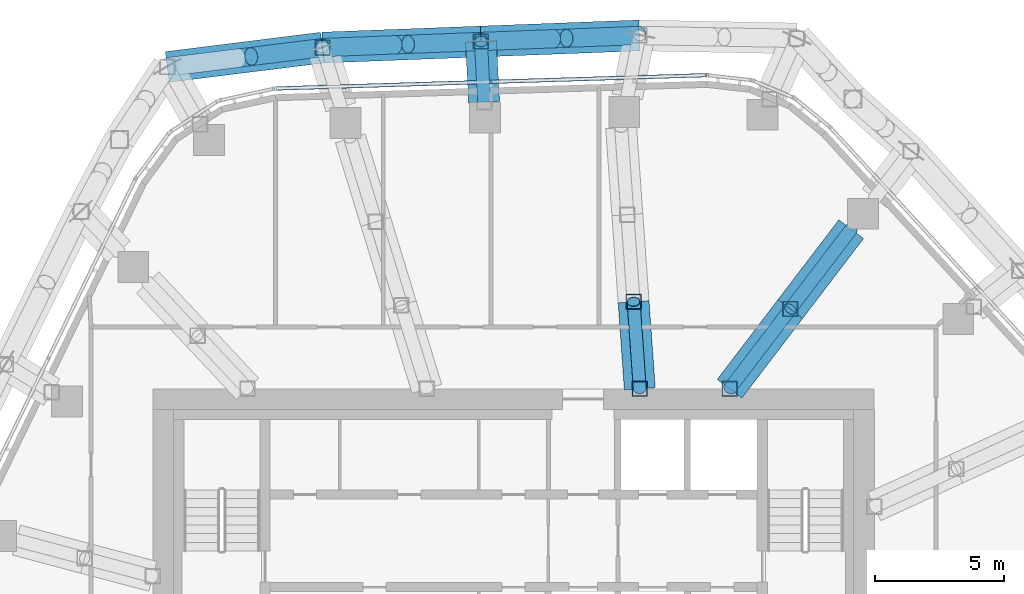
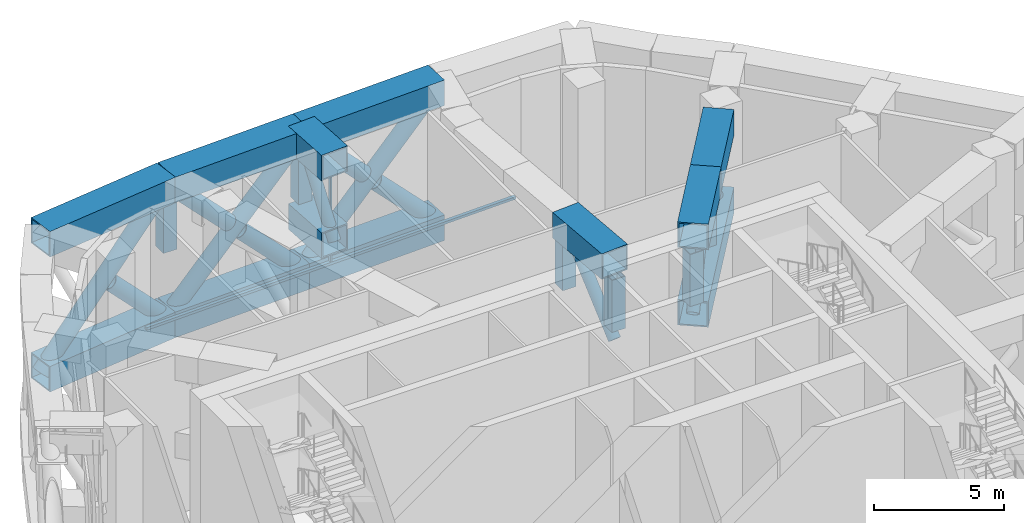
# One storey, part 8 of 21: 32 members, 1 element without a shape of its own.
"""IFC4 building model written with IfcOpenShell, lengths in metres."""

from ifc_helpers import new_model, si_unit, direction, frame, origin, origin_2d, place, context, subcontext, project, spatial, rectangle, hollow_rectangle, hollow_circle, extrude, material, layer, layer_set, material_profile, profile_set, type_object, element, aggregate, save


model = new_model("IFC4")

# Units and contexts
model_context = context("Model", 3, precision=1e-05, world=origin(), true_north=direction((0.0, 1.0)))
body_context = subcontext(model_context, "Body", "Model", "MODEL_VIEW")
ifc_project = project(units=[si_unit("LENGTHUNIT", "METRE"), si_unit("AREAUNIT", "SQUARE_METRE"), si_unit("VOLUMEUNIT", "CUBIC_METRE"), si_unit("PLANEANGLEUNIT", "RADIAN"), si_unit("MASSUNIT", "GRAM", prefix="KILO")], contexts=[model_context])

# Site, building, storey
site_placement = place(None, origin())
site = spatial("IfcSite", under=ifc_project, at=site_placement, CompositionType="ELEMENT")
building_placement = place(site_placement, origin())
building = spatial("IfcBuilding", under=site, at=building_placement, Name="Dongbaek Canopy Tower", CompositionType="ELEMENT")
storey_placement = place(building_placement, frame((0.0, 0.0, 220.60009765625)))
storey = spatial("IfcBuildingStorey", under=building, at=storey_placement, Name="L46", CompositionType="ELEMENT", Elevation=220.60009765625)

# Members
ifc_material_1 = material(Name="Steel S355", Category="steel")
ifc_material_profile_1 = material_profile(ifc_material_1, hollow_circle(Radius=0.35546875, WallThickness=0.02001953125, at=origin_2d()), Name="BELT BRACE CHS 711.0x20.0 Steel S355")
ifc_profile_set_1 = profile_set([ifc_material_profile_1], Name="Steel S355")
member_type_1 = type_object("IfcMemberType", Name="BELT BRACE CHS 711.0x20.0 Steel S355", PredefinedType="BRACE", material=ifc_profile_set_1)
member_1_placement = place(storey_placement, frame((-13.4423828125, 23.49072265625, 0.599853515625), z_axis=(0.68590745486, 0.085599516705, 0.722636621067), x_axis=(-0.123836855341, 0.992302591581, 0.0)))
element("IfcMember", 1, at=member_1_placement, inside=storey, type_object=member_type_1, Name="BELT:L46:13:D0:0", PredefinedType="BRACE", context=body_context, shape_type="SweptSolid", body=[
    extrude(hollow_circle(Radius=0.35546875, WallThickness=0.02001953125, at=origin_2d()), origin(), (0.0, 0.0, 1.0), 8.787353515625),
])
member_2_placement = place(storey_placement, frame((-7.4150390625, 24.242919921875, 0.599853515625), z_axis=(-0.68588996704, -0.085615320286, 0.722651347502), x_axis=(0.123862477211, -0.992299393701, 0.0)))
element("IfcMember", 2, at=member_2_placement, inside=storey, type_object=member_type_1, Name="BELT:L46:13:D0:1", PredefinedType="BRACE", context=body_context, shape_type="SweptSolid", body=[
    extrude(hollow_circle(Radius=0.35546875, WallThickness=0.02001953125, at=origin_2d()), origin(), (0.0, 0.0, 1.0), 4.037841796875),
])
member_3_placement = place(storey_placement, frame((-7.4150390625, 24.242919921875, 0.599853515625), z_axis=(0.695430588191, 0.026697422636, 0.718097169353), x_axis=(-0.038361515606, 0.999263926158, 0.0)))
element("IfcMember", 3, at=member_3_placement, inside=storey, type_object=member_type_1, Name="BELT:L46:14:D0:0", PredefinedType="BRACE", context=body_context, shape_type="SweptSolid", body=[
    extrude(hollow_circle(Radius=0.35546875, WallThickness=0.02001953125, at=origin_2d()), origin(), (0.0, 0.0, 1.0), 8.843017578125),
])
member_4_placement = place(storey_placement, frame((-1.265380859375, 24.47900390625, 0.599853515625), z_axis=(-0.695446252877, -0.026660174087, 0.718083382677), x_axis=(0.038307210171, -0.999266009453, 0.0)))
element("IfcMember", 4, at=member_4_placement, inside=storey, type_object=member_type_1, Name="BELT:L46:14:D0:1", PredefinedType="BRACE", context=body_context, shape_type="SweptSolid", body=[
    extrude(hollow_circle(Radius=0.35546875, WallThickness=0.02001953125, at=origin_2d()), origin(), (0.0, 0.0, 1.0), 4.06591796875),
])
member_5_placement = place(storey_placement, frame((-7.4150390625, 24.242919921875, 6.949951171875), z_axis=(0.695414131623, 0.026721292511, -0.718112218296), x_axis=(-0.038396670952, 0.999262575933, 0.0)))
element("IfcMember", 5, at=member_5_placement, inside=storey, type_object=member_type_1, Name="BELT:L46:14:D0:2", PredefinedType="BRACE", context=body_context, shape_type="SweptSolid", body=[
    extrude(hollow_circle(Radius=0.35546875, WallThickness=0.02001953125, at=origin_2d()), origin(), (0.0, 0.0, 1.0), 4.065673828125),
])
member_6_placement = place(storey_placement, frame((-1.265380859375, 24.47900390625, 0.599853515625), z_axis=(0.695376112611, 0.026561517583, 0.71815496085), x_axis=(-0.038169504481, 0.999271278947, 0.0)))
element("IfcMember", 6, at=member_6_placement, inside=storey, type_object=member_type_1, Name="BELT:L46:15:D0:0", PredefinedType="BRACE", context=body_context, shape_type="SweptSolid", body=[
    extrude(hollow_circle(Radius=0.35546875, WallThickness=0.02001953125, at=origin_2d()), origin(), (0.0, 0.0, 1.0), 8.84228515625),
])
member_7_placement = place(storey_placement, frame((4.88330078125, 24.7138671875, 0.599853515625), z_axis=(-0.695355443026, -0.026543493032, 0.718175640656), x_axis=(0.038144772667, -0.99927222333, 0.0)))
element("IfcMember", 7, at=member_7_placement, inside=storey, type_object=member_type_1, Name="BELT:L46:15:D0:1", PredefinedType="BRACE", context=body_context, shape_type="SweptSolid", body=[
    extrude(hollow_circle(Radius=0.35546875, WallThickness=0.02001953125, at=origin_2d()), origin(), (0.0, 0.0, 1.0), 4.0654296875),
])
member_8_placement = place(storey_placement, frame((-1.265380859375, 24.47900390625, 6.949951171875), z_axis=(0.695386457384, 0.026542384643, -0.718145651456), x_axis=(-0.038141483437, 0.999272348883, 0.0)))
element("IfcMember", 8, at=member_8_placement, inside=storey, type_object=member_type_1, Name="BELT:L46:15:D0:2", PredefinedType="BRACE", context=body_context, shape_type="SweptSolid", body=[
    extrude(hollow_circle(Radius=0.35546875, WallThickness=0.02001953125, at=origin_2d()), origin(), (0.0, 0.0, 1.0), 4.065673828125),
])
ifc_material_2 = material(Name="Steel S355", Category="steel")
ifc_material_profile_2 = material_profile(ifc_material_2, hollow_rectangle(XDim=1.199951171875, YDim=1.199951171875, WallThickness=0.06005859375, at=origin_2d()), Name="BELT CHORD BOX 1200x1200x60 Steel S355")
ifc_profile_set_2 = profile_set([ifc_material_profile_2], Name="Steel S355")
member_type_2 = type_object("IfcMemberType", Name="BELT CHORD BOX 1200x1200x60 Steel S355", PredefinedType="CHORD", material=ifc_profile_set_2)
for number, where, z_axis, x_axis, name in (
    (9, (-13.4423828125, 23.49072265625, 0.599853515625), (0.992302591581, 0.123836855341, 0.0), (-0.123836855341, 0.992302591581, 0.0), "BELT:L46:13:CB0"),
    (10, (-13.4423828125, 23.49072265625, 6.949951171875), (0.992302591581, 0.123836855341, 0.0), (-0.123836855341, 0.992302591581, 0.0), "BELT:L46:13:CT0"),
):
    element("IfcMember", number, at=place(storey_placement, frame(where, z_axis=z_axis, x_axis=x_axis)), inside=storey, type_object=member_type_2, Name=name, PredefinedType="CHORD", context=body_context, shape_type="SweptSolid", body=[
        extrude(hollow_rectangle(XDim=1.199951171875, YDim=1.199951171875, WallThickness=0.06005859375, at=origin_2d()), origin(), (0.0, 0.0, 1.0), 6.07421875),
    ])
for number, where, z_axis, x_axis, name in (
    (11, (-7.4150390625, 24.242919921875, 0.599853515625), (0.999263926158, 0.038361515606, 0.0), (-0.038361515606, 0.999263926158, 0.0), "BELT:L46:14:CB0"),
    (12, (-7.4150390625, 24.242919921875, 6.949951171875), (0.999263926158, 0.038361515606, 0.0), (-0.038361515606, 0.999263926158, 0.0), "BELT:L46:14:CT0"),
):
    element("IfcMember", number, at=place(storey_placement, frame(where, z_axis=z_axis, x_axis=x_axis)), inside=storey, type_object=member_type_2, Name=name, PredefinedType="CHORD", context=body_context, shape_type="SweptSolid", body=[
        extrude(hollow_rectangle(XDim=1.199951171875, YDim=1.199951171875, WallThickness=0.06005859375, at=origin_2d()), origin(), (0.0, 0.0, 1.0), 6.154296875),
    ])
for number, where, z_axis, x_axis, name in (
    (13, (-1.265380859375, 24.47900390625, 0.599853515625), (0.999271278947, 0.038169504481, 0.0), (-0.038169504481, 0.999271278947, 0.0), "BELT:L46:15:CB0"),
    (14, (-1.265380859375, 24.47900390625, 6.949951171875), (0.999271278947, 0.038169504481, 0.0), (-0.038169504481, 0.999271278947, 0.0), "BELT:L46:15:CT0"),
):
    element("IfcMember", number, at=place(storey_placement, frame(where, z_axis=z_axis, x_axis=x_axis)), inside=storey, type_object=member_type_2, Name=name, PredefinedType="CHORD", context=body_context, shape_type="SweptSolid", body=[
        extrude(hollow_rectangle(XDim=1.199951171875, YDim=1.199951171875, WallThickness=0.06005859375, at=origin_2d()), origin(), (0.0, 0.0, 1.0), 6.153076171875),
    ])
ifc_material_3 = material(Name="Steel S355", Category="steel")
ifc_material_profile_3 = material_profile(ifc_material_3, hollow_circle(Radius=0.25390625, WallThickness=0.01611328125, at=origin_2d()), Name="BRACE CHS 508.0x16.0 Steel S355")
ifc_profile_set_3 = profile_set([ifc_material_profile_3], Name="Steel S355")
member_type_3 = type_object("IfcMemberType", Name="BRACE CHS 508.0x16.0 Steel S355", PredefinedType="BRACE", material=ifc_profile_set_3)
member_9_placement = place(storey_placement, frame((-1.14404296875, 22.1298828125, 3.2998046875), z_axis=(-0.027942420934, 0.540969767051, 0.840577737184), x_axis=(-0.998668674895, -0.051583696884, 0.0)))
element("IfcMember", 15, at=member_9_placement, inside=storey, type_object=member_type_3, Name="TRUSS:L46:15:D0", PredefinedType="BRACE", context=body_context, shape_type="SweptSolid", body=[
    extrude(hollow_circle(Radius=0.25390625, WallThickness=0.01611328125, at=origin_2d()), origin(), (0.0, 0.0, 1.0), 4.342529296875),
])
ifc_material_4 = material(Name="Steel S355", Category="steel")
ifc_material_profile_4 = material_profile(ifc_material_4, hollow_rectangle(XDim=1.199951171875, YDim=1.199951171875, WallThickness=0.06005859375, at=origin_2d()), Name="CHORD BOX 1200x1200x60 Steel S355")
ifc_profile_set_4 = profile_set([ifc_material_profile_4], Name="Steel S355")
member_type_4 = type_object("IfcMemberType", Name="CHORD BOX 1200x1200x60 Steel S355", PredefinedType="CHORD", material=ifc_profile_set_4)
for number, where, z_axis, x_axis, name in (
    (16, (-1.14404296875, 22.1298828125, 3.2998046875), (-0.051583696884, 0.998668674895, 0.0), (-0.998668674895, -0.051583696884, 0.0), "TRUSS:L46:15:CB"),
    (17, (-1.14404296875, 22.1298828125, 6.949951171875), (-0.051583696884, 0.998668674895, 0.0), (-0.998668674895, -0.051583696884, 0.0), "TRUSS:L46:15:CT0"),
):
    element("IfcMember", number, at=place(storey_placement, frame(where, z_axis=z_axis, x_axis=x_axis)), inside=storey, type_object=member_type_4, Name=name, PredefinedType="CHORD", context=body_context, shape_type="SweptSolid", body=[
        extrude(hollow_rectangle(XDim=1.199951171875, YDim=1.199951171875, WallThickness=0.06005859375, at=origin_2d()), origin(), (0.0, 0.0, 1.0), 2.352294921875),
    ])

# Curtain wall, members
ifc_material_5 = material(Name="Aluminium 6063-T6 pale anodised", Category="aluminium")
ifc_layer = layer(ifc_material_5, 0.14990234375)
ifc_layer_set = layer_set([ifc_layer], Name="CW-7 louvre curtain wall")
curtain_wall_type = type_object("IfcCurtainWallType", Name="CW-7 louvre curtain wall", PredefinedType="NOTDEFINED", material=ifc_layer_set)
curtain_wall_placement = place(storey_placement, origin())
curtain_wall = element("IfcCurtainWall", 18, at=curtain_wall_placement, inside=storey, type_object=curtain_wall_type, Name="CW-7 louvre wall L46 F1", PredefinedType="NOTDEFINED")
ifc_material_6 = material(Name="Aluminium 6063-T6 pale anodised", Category="aluminium")
ifc_material_profile_5 = material_profile(ifc_material_6, rectangle(XDim=0.14990234375, YDim=0.080078125, at=origin_2d()), Name="CW-7 mullion 80 x 150")
ifc_profile_set_5 = profile_set([ifc_material_profile_5], Name="Aluminium 6063-T6 pale anodised")
member_type_5 = type_object("IfcMemberType", Name="CW-7 mullion 80 x 150", PredefinedType="MULLION", material=ifc_profile_set_5)
member_10_placement = place(storey_placement, frame((-0.8798828125, 22.9130859375, 1.77490234375), z_axis=(0.0, 0.0, 1.0), x_axis=(-0.030965102792, 0.999520466228, 0.0)))
member_10 = element("IfcMember", 19, at=member_10_placement, type_object=member_type_5, Name="CW-7 mullion L46 F1.1.2", PredefinedType="MULLION", context=body_context, shape_type="SweptSolid", body=[
    extrude(rectangle(XDim=0.14990234375, YDim=0.080078125, at=origin_2d()), origin(), (0.0, 0.0, 1.0), 4.0),
])
ifc_material_7 = material(Name="Aluminium 6063-T6 pale anodised", Category="aluminium")
ifc_material_profile_6 = material_profile(ifc_material_7, rectangle(XDim=0.14990234375, YDim=0.1201171875, at=origin_2d()), Name="CW-7 transom 120 x 150")
ifc_profile_set_6 = profile_set([ifc_material_profile_6], Name="Aluminium 6063-T6 pale anodised")
member_type_6 = type_object("IfcMemberType", Name="CW-7 transom 120 x 150", PredefinedType="USERDEFINED", material=ifc_profile_set_6)
member_11_placement = place(storey_placement, frame((7.482177734375, 23.172119140625, 1.71484375), z_axis=(-0.999520551637, -0.030962345779, 0.0), x_axis=(0.030962345779, -0.999520551637, 0.0)))
member_11 = element("IfcMember", 20, at=member_11_placement, type_object=member_type_6, Name="CW-7 transom L46 F1.1", ObjectType="TRANSOM", PredefinedType="USERDEFINED", context=body_context, shape_type="SweptSolid", body=[
    extrude(rectangle(XDim=0.14990234375, YDim=0.1201171875, at=origin_2d()), origin(), (0.0, 0.0, 1.0), 16.732177734375),
])
aggregate(curtain_wall, [member_11, member_10])

# Members
ifc_material_8 = material(Name="Steel S355", Category="steel")
ifc_material_profile_7 = material_profile(ifc_material_8, hollow_circle(Radius=0.25390625, WallThickness=0.01611328125, at=origin_2d()), Name="OUTRIGGER BRACE CHS 508.0x16.0 Steel S355")
ifc_profile_set_7 = profile_set([ifc_material_profile_7], Name="Steel S355")
member_type_7 = type_object("IfcMemberType", Name="OUTRIGGER BRACE CHS 508.0x16.0 Steel S355", PredefinedType="BRACE", material=ifc_profile_set_7)
member_12_placement = place(storey_placement, frame((4.89990234375, 11.0, 3.2998046875), z_axis=(-0.04843914455, 0.678491216017, 0.733009767372), x_axis=(-0.997461260266, -0.071211194822, 0.0)))
element("IfcMember", 21, at=member_12_placement, inside=storey, type_object=member_type_7, Name="TRUSS:L46:16:D0", PredefinedType="BRACE", context=body_context, shape_type="SweptSolid", body=[
    extrude(hollow_circle(Radius=0.25390625, WallThickness=0.01611328125, at=origin_2d()), origin(), (0.0, 0.0, 1.0), 4.979736328125),
])
for number, where, z_axis, x_axis, name in (
    (22, (8.383544921875, 11.0, 3.2998046875), (0.442181354365, 0.580165727336, 0.684020013359), (-0.795332367678, 0.606173593061, 0.0), "TRUSS:L46:18:D0"),
    (23, (10.7431640625, 14.095947265625, 6.949951171875), (0.442181354365, 0.580165727336, -0.684020013359), (-0.795332367678, 0.606173593061, 0.0), "TRUSS:L46:18:D1"),
):
    element("IfcMember", number, at=place(storey_placement, frame(where, z_axis=z_axis, x_axis=x_axis)), inside=storey, type_object=member_type_7, Name=name, PredefinedType="BRACE", context=body_context, shape_type="SweptSolid", body=[
        extrude(hollow_circle(Radius=0.25390625, WallThickness=0.01611328125, at=origin_2d()), origin(), (0.0, 0.0, 1.0), 5.33642578125),
    ])
ifc_material_9 = material(Name="Steel S355", Category="steel")
ifc_material_profile_8 = material_profile(ifc_material_9, hollow_rectangle(XDim=1.199951171875, YDim=1.199951171875, WallThickness=0.06005859375, at=origin_2d()), Name="OUTRIGGER CHORD BOX 1200x1200x60 Steel S355")
ifc_profile_set_8 = profile_set([ifc_material_profile_8], Name="Steel S355")
member_type_8 = type_object("IfcMemberType", Name="OUTRIGGER CHORD BOX 1200x1200x60 Steel S355", PredefinedType="CHORD", material=ifc_profile_set_8)
member_13_placement = place(storey_placement, frame((4.89990234375, 11.0, 6.949951171875), z_axis=(-0.071211194822, 0.997461260266, 0.0), x_axis=(-0.997461260266, -0.071211194822, 0.0)))
element("IfcMember", 24, at=member_13_placement, inside=storey, type_object=member_type_8, Name="TRUSS:L46:16:CT0", PredefinedType="CHORD", context=body_context, shape_type="SweptSolid", body=[
    extrude(hollow_rectangle(XDim=1.199951171875, YDim=1.199951171875, WallThickness=0.06005859375, at=origin_2d()), origin(), (0.0, 0.0, 1.0), 3.38720703125),
])
member_14_placement = place(storey_placement, frame((8.383544921875, 11.0, 3.2998046875), z_axis=(0.606173593061, 0.795332367678, 0.0), x_axis=(-0.795332367678, 0.606173593061, 0.0)))
element("IfcMember", 25, at=member_14_placement, inside=storey, type_object=member_type_8, Name="TRUSS:L46:18:CB", PredefinedType="CHORD", context=body_context, shape_type="SweptSolid", body=[
    extrude(hollow_rectangle(XDim=1.199951171875, YDim=1.199951171875, WallThickness=0.06005859375, at=origin_2d()), origin(), (0.0, 0.0, 1.0), 7.785400390625),
])
for number, where, z_axis, x_axis, name in (
    (26, (8.383544921875, 11.0, 6.949951171875), (0.606173593061, 0.795332367678, 0.0), (-0.795332367678, 0.606173593061, 0.0), "TRUSS:L46:18:CT0"),
    (27, (10.7431640625, 14.095947265625, 6.949951171875), (0.606173593061, 0.795332367678, 0.0), (-0.795332367678, 0.606173593061, 0.0), "TRUSS:L46:18:CT1"),
):
    element("IfcMember", number, at=place(storey_placement, frame(where, z_axis=z_axis, x_axis=x_axis)), inside=storey, type_object=member_type_8, Name=name, PredefinedType="CHORD", context=body_context, shape_type="SweptSolid", body=[
        extrude(hollow_rectangle(XDim=1.199951171875, YDim=1.199951171875, WallThickness=0.06005859375, at=origin_2d()), origin(), (0.0, 0.0, 1.0), 3.892578125),
    ])
ifc_material_10 = material(Name="Steel S355", Category="steel")
ifc_material_profile_9 = material_profile(ifc_material_10, hollow_rectangle(XDim=0.60009765625, YDim=0.60009765625, WallThickness=0.031982421875, at=origin_2d()), Name="OUTRIGGER POST BOX 600x600x32 Steel S355")
ifc_profile_set_9 = profile_set([ifc_material_profile_9], Name="Steel S355")
member_type_9 = type_object("IfcMemberType", Name="OUTRIGGER POST BOX 600x600x32 Steel S355", PredefinedType="POST", material=ifc_profile_set_9)
for number, where, z_axis, x_axis, name in (
    (28, (-7.4150390625, 24.242919921875, 3.89990234375), (0.0, 0.0, 1.0), (1.0, 0.0, 0.0), "TRUSS:L46:14s:P1"),
    (29, (4.89990234375, 11.0, 3.89990234375), (0.0, 0.0, 1.0), (1.0, 0.0, 0.0), "TRUSS:L46:16:P0"),
    (30, (4.65869140625, 14.378662109375, 3.89990234375), (0.0, 0.0, 1.0), (1.0, 0.0, 0.0), "TRUSS:L46:16:P1"),
    (31, (8.383544921875, 11.0, 3.89990234375), (0.0, 0.0, 1.0), (1.0, 0.0, 0.0), "TRUSS:L46:18:P0"),
    (32, (10.7431640625, 14.095947265625, 3.89990234375), (0.0, 0.0, 1.0), (1.0, 0.0, 0.0), "TRUSS:L46:18:P1"),
):
    element("IfcMember", number, at=place(storey_placement, frame(where, z_axis=z_axis, x_axis=x_axis)), inside=storey, type_object=member_type_9, Name=name, PredefinedType="POST", context=body_context, shape_type="SweptSolid", body=[
        extrude(hollow_rectangle(XDim=0.60009765625, YDim=0.60009765625, WallThickness=0.031982421875, at=origin_2d()), origin(), (0.0, 0.0, 1.0), 2.449951171875),
    ])
ifc_material_11 = material(Name="Steel S355", Category="steel")
ifc_material_profile_10 = material_profile(ifc_material_11, hollow_rectangle(XDim=0.60009765625, YDim=0.60009765625, WallThickness=0.031982421875, at=origin_2d()), Name="POST BOX 600x600x32 Steel S355")
ifc_profile_set_10 = profile_set([ifc_material_profile_10], Name="Steel S355")
member_type_10 = type_object("IfcMemberType", Name="POST BOX 600x600x32 Steel S355", PredefinedType="POST", material=ifc_profile_set_10)
member_15_placement = place(storey_placement, frame((-1.265380859375, 24.47900390625, 3.89990234375), z_axis=(0.0, 0.0, 1.0), x_axis=(1.0, 0.0, 0.0)))
element("IfcMember", 33, at=member_15_placement, inside=storey, type_object=member_type_10, Name="TRUSS:L46:15:P1", PredefinedType="POST", context=body_context, shape_type="SweptSolid", body=[
    extrude(hollow_rectangle(XDim=0.60009765625, YDim=0.60009765625, WallThickness=0.031982421875, at=origin_2d()), origin(), (0.0, 0.0, 1.0), 2.449951171875),
])

save(model, "model.ifc")
